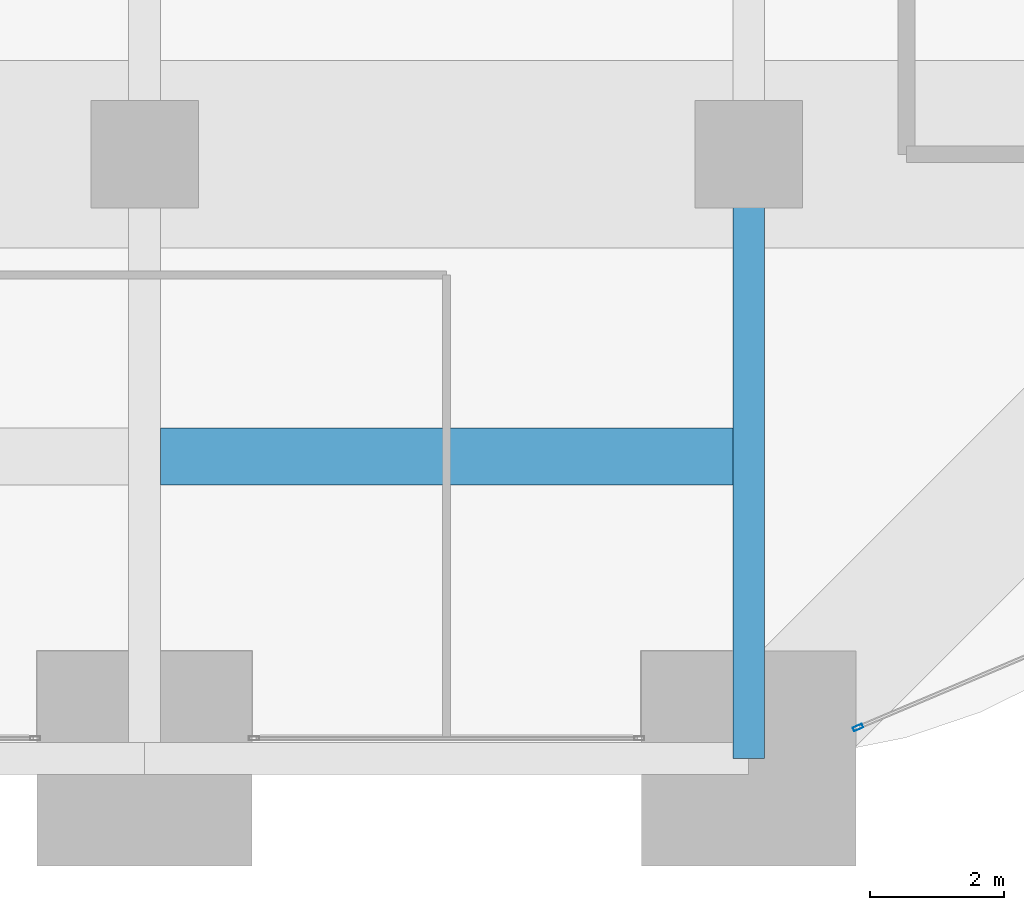
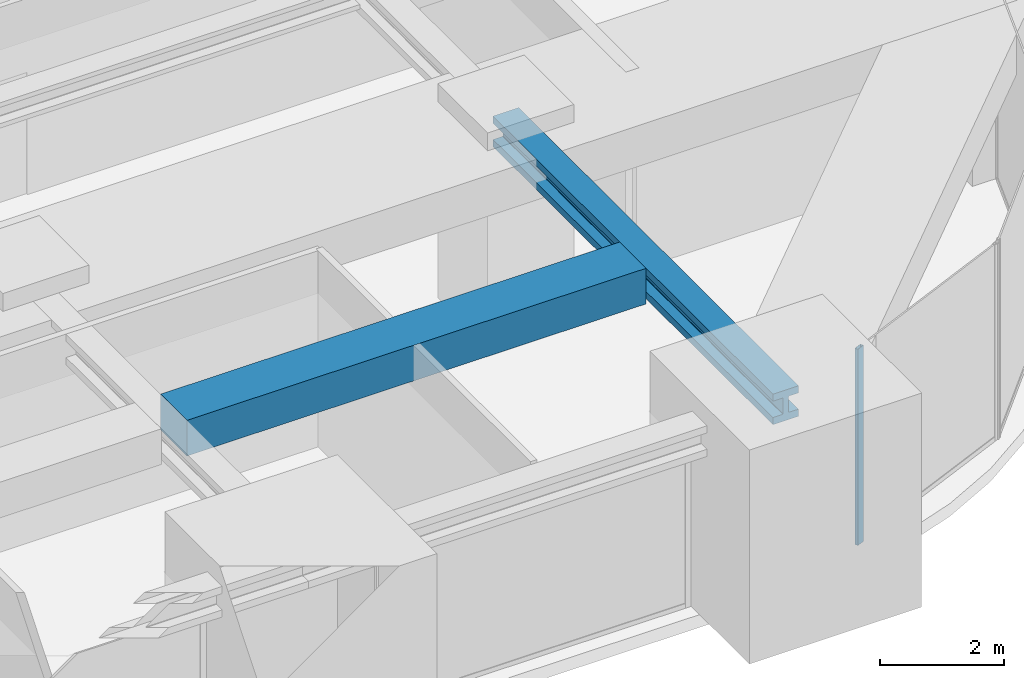
# One storey, part 15 of 39: 2 beams, 1 member, 1 element without a shape of its own.
"""IFC4 building model written with IfcOpenShell, lengths in metres."""

from ifc_helpers import new_model, si_unit, direction, frame, origin, origin_2d, place, context, subcontext, project, spatial, rectangle, hollow_rectangle, i_section, extrude, material, material_profile, profile_set, type_object, element, aggregate, save


model = new_model("IFC4")

# Units and contexts
model_context = context("Model", 3, precision=1e-05, world=origin(), true_north=direction((0.0, 1.0)))
body_context = subcontext(model_context, "Body", "Model", "MODEL_VIEW")
ifc_project = project(units=[si_unit("LENGTHUNIT", "METRE"), si_unit("AREAUNIT", "SQUARE_METRE"), si_unit("VOLUMEUNIT", "CUBIC_METRE"), si_unit("PLANEANGLEUNIT", "RADIAN"), si_unit("MASSUNIT", "GRAM", prefix="KILO")], contexts=[model_context])

# Site, building, storey
site_placement = place(None, origin())
site = spatial("IfcSite", under=ifc_project, at=site_placement, CompositionType="ELEMENT")
building_placement = place(site_placement, origin())
building = spatial("IfcBuilding", under=site, at=building_placement, Name="Zorevar Civic Tower", CompositionType="ELEMENT")
storey_placement = place(building_placement, frame((0.0, 0.0, 230.199951171875)))
storey = spatial("IfcBuildingStorey", under=building, at=storey_placement, Name="L56", CompositionType="ELEMENT", Elevation=230.199951171875)

# Beam
ifc_material_1 = material(Name="Concrete C50/60", Category="concrete")
ifc_material_profile_1 = material_profile(ifc_material_1, rectangle(XDim=0.85009765625, YDim=0.699951171875, at=origin_2d()), Name="RC 850x700")
ifc_profile_set_1 = profile_set([ifc_material_profile_1], Name="Concrete C50/60")
beam_type_1 = type_object("IfcBeamType", Name="Beam RC 850x700", PredefinedType="BEAM", material=ifc_profile_set_1)
beam_1_placement = place(storey_placement, frame((36.238037109375, 4.5, 3.5), z_axis=(1.0, 0.0, 0.0), x_axis=(0.0, 1.0, 0.0)))
element("IfcBeam", 1, at=beam_1_placement, inside=storey, type_object=beam_type_1, Name="Secondary beam L57", PredefinedType="BEAM", context=body_context, shape_type="SweptSolid", body=[
    extrude(rectangle(XDim=0.85009765625, YDim=0.699951171875, at=origin_2d()), origin(), (0.0, 0.0, 1.0), 8.52392578125),
])

# Curtain wall, member
ifc_material_2 = material(Name="Dark grey solar-control glass in black aluminium frame", Category="aluminium")
curtain_wall_type = type_object("IfcCurtainWallType", Name="Curtain wall CW4 high zone", PredefinedType="NOTDEFINED", material=ifc_material_2)
curtain_wall_placement = place(storey_placement, origin())
curtain_wall = element("IfcCurtainWall", 2, at=curtain_wall_placement, inside=storey, type_object=curtain_wall_type, Name="CW4 L56", PredefinedType="NOTDEFINED")
ifc_material_3 = material(Name="Aluminium, black anodised", Category="aluminium")
ifc_material_profile_2 = material_profile(ifc_material_3, hollow_rectangle(XDim=0.06005859375, YDim=0.14990234375, WallThickness=0.00390625, at=origin_2d()), Name="AL 150x60x4")
ifc_profile_set_2 = profile_set([ifc_material_profile_2], Name="Aluminium, black anodised")
member_type = type_object("IfcMemberType", Name="CW4 mullion AL 150x60x4", PredefinedType="MULLION", material=ifc_profile_set_2)
member_placement = place(storey_placement, frame((46.627685546875, 0.460205078125, 0.0), z_axis=(0.0, 0.0, 1.0), x_axis=(-0.389965213734, 0.920829589054, 0.0)))
member = element("IfcMember", 3, at=member_placement, type_object=member_type, Name="CW4 mullion 1", PredefinedType="MULLION", context=body_context, shape_type="SweptSolid", body=[
    extrude(hollow_rectangle(XDim=0.06005859375, YDim=0.14990234375, WallThickness=0.00390625, at=origin_2d()), origin(), (0.0, 0.0, 1.0), 3.85009765625),
])
aggregate(curtain_wall, [member])

# Beam
ifc_material_4 = material(Name="Steel S460M (HISTAR 460)", Category="steel")
ifc_material_profile_3 = material_profile(ifc_material_4, i_section(OverallWidth=0.47607421875, OverallDepth=0.60009765625, WebThickness=0.10009765625, FlangeThickness=0.139892578125, FilletRadius=0.014892578125, at=origin_2d()), Name="HD 400x1299")
ifc_profile_set_3 = profile_set([ifc_material_profile_3], Name="Steel S460M (HISTAR 460)")
beam_type_2 = type_object("IfcBeamType", Name="Outrigger chord HD 400x1299", PredefinedType="BEAM", material=ifc_profile_set_3)
beam_2_placement = place(storey_placement, frame((45.0, 0.0, 3.550048828125), z_axis=(0.0, 1.0, 0.0), x_axis=(-1.0, 0.0, 0.0)))
element("IfcBeam", 4, at=beam_2_placement, inside=storey, type_object=beam_type_2, Name="Outrigger chord L57", PredefinedType="BEAM", context=body_context, shape_type="SweptSolid", body=[
    extrude(i_section(OverallWidth=0.47607421875, OverallDepth=0.60009765625, WebThickness=0.10009765625, FlangeThickness=0.139892578125, FilletRadius=0.014892578125, at=origin_2d()), origin(), (0.0, 0.0, 1.0), 9.0),
])

save(model, "model.ifc")
